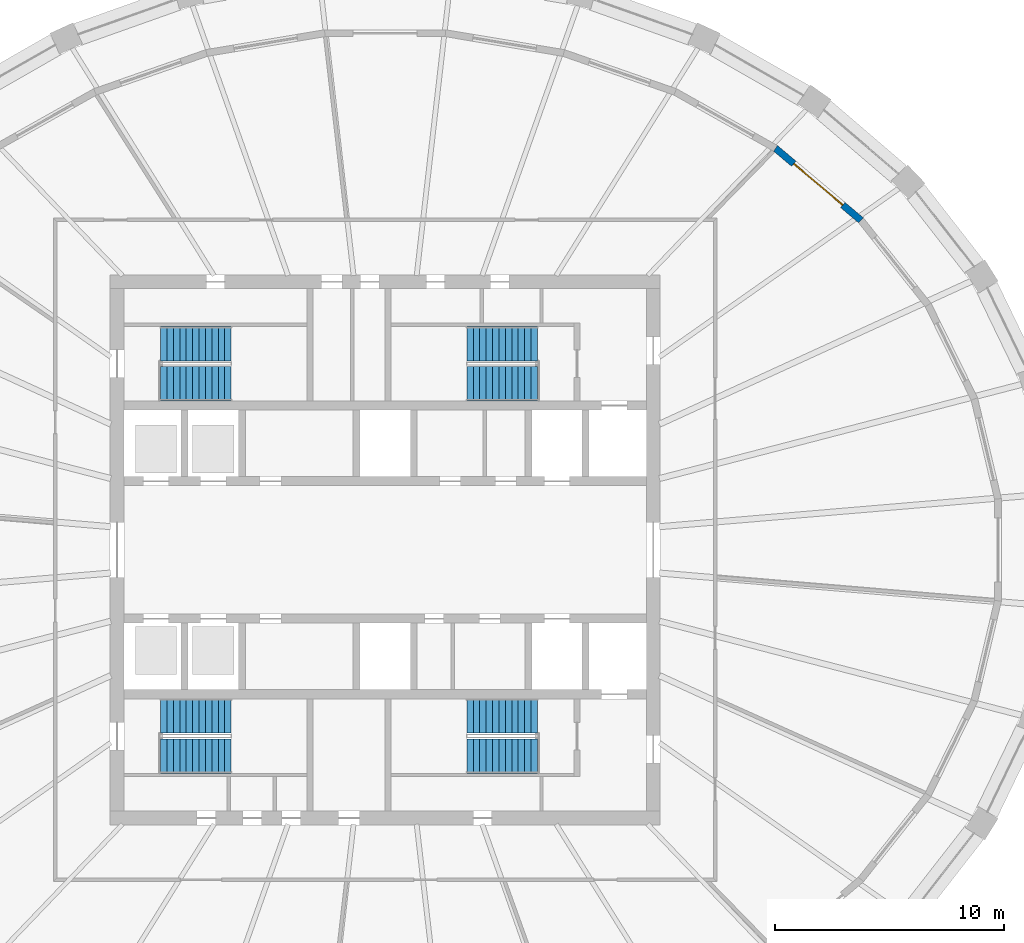
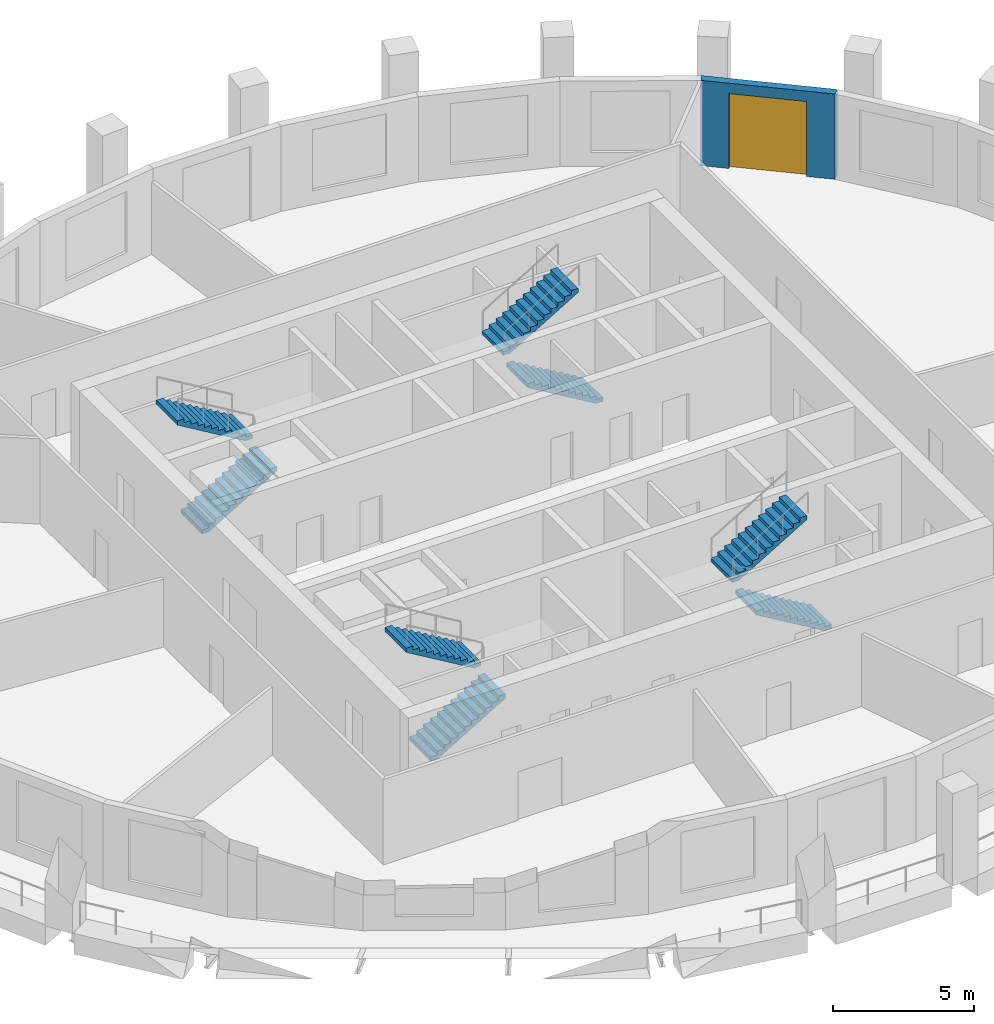
# One storey, part 7 of 10: 8 stair flights, 1 door, 1 wall, 1 opening, 4 elements without a shape of their own.
"""IFC4 building model written with IfcOpenShell, lengths in metres."""

from ifc_helpers import new_model, si_unit, direction, frame, frame_2d, origin, place, context, subcontext, project, spatial, polyline, rectangle, outline, extrude, material, layer, layer_set, type_object, element, fill, aggregate, save


model = new_model("IFC4")

# Units and contexts
model_context = context("Model", 3, precision=1e-05, world=origin(), true_north=direction((0.0, 1.0)))
body_context = subcontext(model_context, "Body", "Model", "MODEL_VIEW")
ifc_project = project(units=[si_unit("LENGTHUNIT", "METRE"), si_unit("AREAUNIT", "SQUARE_METRE"), si_unit("VOLUMEUNIT", "CUBIC_METRE"), si_unit("PLANEANGLEUNIT", "RADIAN"), si_unit("MASSUNIT", "GRAM", prefix="KILO")], contexts=[model_context])

# Site, building, storey
site_placement = place(None, origin())
site = spatial("IfcSite", under=ifc_project, at=site_placement, CompositionType="ELEMENT")
building_placement = place(site_placement, origin())
building = spatial("IfcBuilding", under=site, at=building_placement, Name="Halqa Exchange Tower", CompositionType="ELEMENT")
storey_placement = place(building_placement, frame((0.0, 0.0, 284.300048828125)))
storey = spatial("IfcBuildingStorey", under=building, at=storey_placement, Name="L66", CompositionType="ELEMENT", Elevation=284.300048828125)

# Wall, opening, door
ifc_material_1 = material(Name="Limestone cladding", Category="masonry")
ifc_layer_1 = layer(ifc_material_1, 0.0400390625)
ifc_material_2 = material(Name="Ventilated cavity")
ifc_layer_2 = layer(ifc_material_2, 0.030029296875, ventilated=True)
ifc_material_3 = material(Name="Mineral wool insulation")
ifc_layer_3 = layer(ifc_material_3, 0.10009765625)
ifc_material_4 = material(Name="Concrete C30/37", Category="concrete")
ifc_layer_4 = layer(ifc_material_4, 0.10009765625)
ifc_material_5 = material(Name="Internal plaster")
ifc_layer_5 = layer(ifc_material_5, 0.030029296875)
ifc_layer_set = layer_set([ifc_layer_1, ifc_layer_2, ifc_layer_3, ifc_layer_4, ifc_layer_5], Name="Stone-faced insulated wall 300")
wall_type = type_object("IfcWallType", Name="Stone-faced insulated wall 300", PredefinedType="STANDARD", material=ifc_layer_set)
wall_placement = place(storey_placement, frame((20.767822265625, 14.384033203125, 0.0), z_axis=(0.0, 0.0, 1.0), x_axis=(-0.764876116592, 0.644177402792, 0.0)))
wall = element("IfcWall", 1, at=wall_placement, inside=storey, type_object=wall_type, Name="Glass-line wall 4", PredefinedType="STANDARD", context=body_context, shape_type="SweptSolid", body=[
    extrude(outline(polyline([(-0.01513671875, -0.14990234375), (4.886962890625, -0.14990234375), (4.858642578125, 0.14990234375), (0.01513671875, 0.14990234375), (-0.01513671875, -0.14990234375)])), origin(), (0.0, 0.0, 1.0), 3.699951171875),
])
opening_placement = place(wall_placement, frame((1.036376953125, 0.0, 0.0)))
opening = element("IfcOpeningElement", 2, at=opening_placement, cuts=wall, Name="Opening LG-F4-01", PredefinedType="OPENING", context=body_context, shape_type="SweptSolid", body=[
    extrude(rectangle(XDim=2.800048828125, YDim=3.25, at=frame_2d((1.39990234375, 1.625))), frame((0.0, 0.162109375, 0.0), z_axis=(0.0, -1.0, 0.0), x_axis=(1.0, 0.0, 0.0)), (0.0, 0.0, 1.0), 0.323974609375),
])
ifc_material_6 = material(Name="Clear low-emissivity glass in aluminium frame", Category="aluminium")
door_type = type_object("IfcDoorType", Name="Glazed sliding loggia door 2800 x 3250", OperationType="DOUBLE_DOOR_SLIDING", PredefinedType="DOOR", material=ifc_material_6)
door_placement = place(opening_placement, origin())
door = element("IfcDoor", 3, at=door_placement, inside=storey, type_object=door_type, Name="Loggia door 1", OperationType="DOUBLE_DOOR_SLIDING", OverallHeight=3.25, OverallWidth=2.800048828125, PredefinedType="DOOR", context=body_context, shape_type="SweptSolid", body=[
    extrude(rectangle(XDim=2.800048828125, YDim=3.25, at=frame_2d((1.39990234375, 1.625))), frame((0.0, 0.02490234375, 0.0), z_axis=(0.0, -1.0, 0.0), x_axis=(1.0, 0.0, 0.0)), (0.0, 0.0, 1.0), 0.050048828125),
])
fill(opening, door)

# Stair, stair flights
stair_type = type_object("IfcStairType", Name="Exit stair 1500 wide", PredefinedType="HALF_TURN_STAIR", material=ifc_material_4)
stair_1_placement = place(storey_placement, origin())
stair_1 = element("IfcStair", 4, at=stair_1_placement, inside=storey, type_object=stair_type, Name="Exit stair ST1", PredefinedType="HALF_TURN_STAIR")
stair_flight_type = type_object("IfcStairFlightType", Name="Stair flight 1500 wide", PredefinedType="STRAIGHT", material=ifc_material_4)
stair_flight_1_placement = place(storey_placement, frame((-9.800048828125, 7.25, 0.0), z_axis=(0.0, 0.0, 1.0), x_axis=(1.0, 0.0, 0.0)))
stair_flight_1 = element("IfcStairFlight", 5, at=stair_flight_1_placement, type_object=stair_flight_type, Name="ST1 flight 1", NumberOfRisers=12, NumberOfTreads=11, PredefinedType="STRAIGHT", RiserHeight=0.166666667, TreadLength=0.28, context=body_context, shape_type="SweptSolid", body=[
    extrude(outline(polyline([(0.0, 0.0), (0.0, 0.166748046875), (0.280029296875, 0.166748046875), (0.280029296875, 0.333251953125), (0.56005859375, 0.333251953125), (0.56005859375, 0.5), (0.840087890625, 0.5), (0.840087890625, 0.666748046875), (1.1201171875, 0.666748046875), (1.1201171875, 0.833251953125), (1.39990234375, 0.833251953125), (1.39990234375, 1.0), (1.679931640625, 1.0), (1.679931640625, 1.166748046875), (1.9599609375, 1.166748046875), (1.9599609375, 1.333251953125), (2.239990234375, 1.333251953125), (2.239990234375, 1.5), (2.52001953125, 1.5), (2.52001953125, 1.666748046875), (2.800048828125, 1.666748046875), (2.800048828125, 1.833251953125), (3.080078125, 1.833251953125), (3.080078125, 2.0), (3.080078125, 1.658935546875), (0.29296875, 0.0), (0.0, 0.0)])), frame((0.0, 0.75, 0.0), z_axis=(0.0, -1.0, 0.0), x_axis=(1.0, 0.0, 0.0)), (0.0, 0.0, 1.0), 1.5),
])
stair_flight_2_placement = place(storey_placement, frame((-6.719970703125, 9.0, 2.0), z_axis=(0.0, 0.0, 1.0), x_axis=(-1.0, 0.0, 0.0)))
stair_flight_2 = element("IfcStairFlight", 6, at=stair_flight_2_placement, type_object=stair_flight_type, Name="ST1 flight 2", NumberOfRisers=12, NumberOfTreads=11, PredefinedType="STRAIGHT", RiserHeight=0.166666667, TreadLength=0.28, context=body_context, shape_type="SweptSolid", body=[
    extrude(outline(polyline([(0.0, 0.0), (0.0, 0.166748046875), (0.280029296875, 0.166748046875), (0.280029296875, 0.333251953125), (0.56005859375, 0.333251953125), (0.56005859375, 0.5), (0.840087890625, 0.5), (0.840087890625, 0.666748046875), (1.1201171875, 0.666748046875), (1.1201171875, 0.833251953125), (1.39990234375, 0.833251953125), (1.39990234375, 1.0), (1.679931640625, 1.0), (1.679931640625, 1.166748046875), (1.9599609375, 1.166748046875), (1.9599609375, 1.333251953125), (2.239990234375, 1.333251953125), (2.239990234375, 1.5), (2.52001953125, 1.5), (2.52001953125, 1.666748046875), (2.800048828125, 1.666748046875), (2.800048828125, 1.833251953125), (3.080078125, 1.833251953125), (3.080078125, 2.0), (3.080078125, 1.658935546875), (0.29296875, 0.0), (0.0, 0.0)])), frame((0.0, 0.75, 0.0), z_axis=(0.0, -1.0, 0.0), x_axis=(1.0, 0.0, 0.0)), (0.0, 0.0, 1.0), 1.5),
])
aggregate(stair_1, [stair_flight_1, stair_flight_2])

stair_2_placement = place(storey_placement, origin())
stair_2 = element("IfcStair", 7, at=stair_2_placement, inside=storey, type_object=stair_type, Name="Exit stair ST2", PredefinedType="HALF_TURN_STAIR")
stair_flight_3_placement = place(storey_placement, frame((6.64990234375, 7.25, 0.0), z_axis=(0.0, 0.0, 1.0), x_axis=(-1.0, 0.0, 0.0)))
stair_flight_3 = element("IfcStairFlight", 8, at=stair_flight_3_placement, type_object=stair_flight_type, Name="ST2 flight 1", NumberOfRisers=12, NumberOfTreads=11, PredefinedType="STRAIGHT", RiserHeight=0.166666667, TreadLength=0.28, context=body_context, shape_type="SweptSolid", body=[
    extrude(outline(polyline([(0.0, 0.0), (0.0, 0.166748046875), (0.280029296875, 0.166748046875), (0.280029296875, 0.333251953125), (0.56005859375, 0.333251953125), (0.56005859375, 0.5), (0.840087890625, 0.5), (0.840087890625, 0.666748046875), (1.1201171875, 0.666748046875), (1.1201171875, 0.833251953125), (1.39990234375, 0.833251953125), (1.39990234375, 1.0), (1.679931640625, 1.0), (1.679931640625, 1.166748046875), (1.9599609375, 1.166748046875), (1.9599609375, 1.333251953125), (2.239990234375, 1.333251953125), (2.239990234375, 1.5), (2.52001953125, 1.5), (2.52001953125, 1.666748046875), (2.800048828125, 1.666748046875), (2.800048828125, 1.833251953125), (3.080078125, 1.833251953125), (3.080078125, 2.0), (3.080078125, 1.658935546875), (0.29296875, 0.0), (0.0, 0.0)])), frame((0.0, 0.75, 0.0), z_axis=(0.0, -1.0, 0.0), x_axis=(1.0, 0.0, 0.0)), (0.0, 0.0, 1.0), 1.5),
])
stair_flight_4_placement = place(storey_placement, frame((3.570068359375, 9.0, 2.0), z_axis=(0.0, 0.0, 1.0), x_axis=(1.0, 0.0, 0.0)))
stair_flight_4 = element("IfcStairFlight", 9, at=stair_flight_4_placement, type_object=stair_flight_type, Name="ST2 flight 2", NumberOfRisers=12, NumberOfTreads=11, PredefinedType="STRAIGHT", RiserHeight=0.166666667, TreadLength=0.28, context=body_context, shape_type="SweptSolid", body=[
    extrude(outline(polyline([(0.0, 0.0), (0.0, 0.166748046875), (0.280029296875, 0.166748046875), (0.280029296875, 0.333251953125), (0.56005859375, 0.333251953125), (0.56005859375, 0.5), (0.840087890625, 0.5), (0.840087890625, 0.666748046875), (1.1201171875, 0.666748046875), (1.1201171875, 0.833251953125), (1.39990234375, 0.833251953125), (1.39990234375, 1.0), (1.679931640625, 1.0), (1.679931640625, 1.166748046875), (1.9599609375, 1.166748046875), (1.9599609375, 1.333251953125), (2.239990234375, 1.333251953125), (2.239990234375, 1.5), (2.52001953125, 1.5), (2.52001953125, 1.666748046875), (2.800048828125, 1.666748046875), (2.800048828125, 1.833251953125), (3.080078125, 1.833251953125), (3.080078125, 2.0), (3.080078125, 1.658935546875), (0.29296875, 0.0), (0.0, 0.0)])), frame((0.0, 0.75, 0.0), z_axis=(0.0, -1.0, 0.0), x_axis=(1.0, 0.0, 0.0)), (0.0, 0.0, 1.0), 1.5),
])
aggregate(stair_2, [stair_flight_3, stair_flight_4])

stair_3_placement = place(storey_placement, origin())
stair_3 = element("IfcStair", 10, at=stair_3_placement, inside=storey, type_object=stair_type, Name="Exit stair ST3", PredefinedType="HALF_TURN_STAIR")
stair_flight_5_placement = place(storey_placement, frame((-9.800048828125, -9.0, 0.0), z_axis=(0.0, 0.0, 1.0), x_axis=(1.0, 0.0, 0.0)))
stair_flight_5 = element("IfcStairFlight", 11, at=stair_flight_5_placement, type_object=stair_flight_type, Name="ST3 flight 1", NumberOfRisers=12, NumberOfTreads=11, PredefinedType="STRAIGHT", RiserHeight=0.166666667, TreadLength=0.28, context=body_context, shape_type="SweptSolid", body=[
    extrude(outline(polyline([(0.0, 0.0), (0.0, 0.166748046875), (0.280029296875, 0.166748046875), (0.280029296875, 0.333251953125), (0.56005859375, 0.333251953125), (0.56005859375, 0.5), (0.840087890625, 0.5), (0.840087890625, 0.666748046875), (1.1201171875, 0.666748046875), (1.1201171875, 0.833251953125), (1.39990234375, 0.833251953125), (1.39990234375, 1.0), (1.679931640625, 1.0), (1.679931640625, 1.166748046875), (1.9599609375, 1.166748046875), (1.9599609375, 1.333251953125), (2.239990234375, 1.333251953125), (2.239990234375, 1.5), (2.52001953125, 1.5), (2.52001953125, 1.666748046875), (2.800048828125, 1.666748046875), (2.800048828125, 1.833251953125), (3.080078125, 1.833251953125), (3.080078125, 2.0), (3.080078125, 1.658935546875), (0.29296875, 0.0), (0.0, 0.0)])), frame((0.0, 0.75, 0.0), z_axis=(0.0, -1.0, 0.0), x_axis=(1.0, 0.0, 0.0)), (0.0, 0.0, 1.0), 1.5),
])
stair_flight_6_placement = place(storey_placement, frame((-6.719970703125, -7.25, 2.0), z_axis=(0.0, 0.0, 1.0), x_axis=(-1.0, 0.0, 0.0)))
stair_flight_6 = element("IfcStairFlight", 12, at=stair_flight_6_placement, type_object=stair_flight_type, Name="ST3 flight 2", NumberOfRisers=12, NumberOfTreads=11, PredefinedType="STRAIGHT", RiserHeight=0.166666667, TreadLength=0.28, context=body_context, shape_type="SweptSolid", body=[
    extrude(outline(polyline([(0.0, 0.0), (0.0, 0.166748046875), (0.280029296875, 0.166748046875), (0.280029296875, 0.333251953125), (0.56005859375, 0.333251953125), (0.56005859375, 0.5), (0.840087890625, 0.5), (0.840087890625, 0.666748046875), (1.1201171875, 0.666748046875), (1.1201171875, 0.833251953125), (1.39990234375, 0.833251953125), (1.39990234375, 1.0), (1.679931640625, 1.0), (1.679931640625, 1.166748046875), (1.9599609375, 1.166748046875), (1.9599609375, 1.333251953125), (2.239990234375, 1.333251953125), (2.239990234375, 1.5), (2.52001953125, 1.5), (2.52001953125, 1.666748046875), (2.800048828125, 1.666748046875), (2.800048828125, 1.833251953125), (3.080078125, 1.833251953125), (3.080078125, 2.0), (3.080078125, 1.658935546875), (0.29296875, 0.0), (0.0, 0.0)])), frame((0.0, 0.75, 0.0), z_axis=(0.0, -1.0, 0.0), x_axis=(1.0, 0.0, 0.0)), (0.0, 0.0, 1.0), 1.5),
])
aggregate(stair_3, [stair_flight_5, stair_flight_6])

stair_4_placement = place(storey_placement, origin())
stair_4 = element("IfcStair", 13, at=stair_4_placement, inside=storey, type_object=stair_type, Name="Exit stair ST4", PredefinedType="HALF_TURN_STAIR")
stair_flight_7_placement = place(storey_placement, frame((6.64990234375, -9.0, 0.0), z_axis=(0.0, 0.0, 1.0), x_axis=(-1.0, 0.0, 0.0)))
stair_flight_7 = element("IfcStairFlight", 14, at=stair_flight_7_placement, type_object=stair_flight_type, Name="ST4 flight 1", NumberOfRisers=12, NumberOfTreads=11, PredefinedType="STRAIGHT", RiserHeight=0.166666667, TreadLength=0.28, context=body_context, shape_type="SweptSolid", body=[
    extrude(outline(polyline([(0.0, 0.0), (0.0, 0.166748046875), (0.280029296875, 0.166748046875), (0.280029296875, 0.333251953125), (0.56005859375, 0.333251953125), (0.56005859375, 0.5), (0.840087890625, 0.5), (0.840087890625, 0.666748046875), (1.1201171875, 0.666748046875), (1.1201171875, 0.833251953125), (1.39990234375, 0.833251953125), (1.39990234375, 1.0), (1.679931640625, 1.0), (1.679931640625, 1.166748046875), (1.9599609375, 1.166748046875), (1.9599609375, 1.333251953125), (2.239990234375, 1.333251953125), (2.239990234375, 1.5), (2.52001953125, 1.5), (2.52001953125, 1.666748046875), (2.800048828125, 1.666748046875), (2.800048828125, 1.833251953125), (3.080078125, 1.833251953125), (3.080078125, 2.0), (3.080078125, 1.658935546875), (0.29296875, 0.0), (0.0, 0.0)])), frame((0.0, 0.75, 0.0), z_axis=(0.0, -1.0, 0.0), x_axis=(1.0, 0.0, 0.0)), (0.0, 0.0, 1.0), 1.5),
])
stair_flight_8_placement = place(storey_placement, frame((3.570068359375, -7.25, 2.0), z_axis=(0.0, 0.0, 1.0), x_axis=(1.0, 0.0, 0.0)))
stair_flight_8 = element("IfcStairFlight", 15, at=stair_flight_8_placement, type_object=stair_flight_type, Name="ST4 flight 2", NumberOfRisers=12, NumberOfTreads=11, PredefinedType="STRAIGHT", RiserHeight=0.166666667, TreadLength=0.28, context=body_context, shape_type="SweptSolid", body=[
    extrude(outline(polyline([(0.0, 0.0), (0.0, 0.166748046875), (0.280029296875, 0.166748046875), (0.280029296875, 0.333251953125), (0.56005859375, 0.333251953125), (0.56005859375, 0.5), (0.840087890625, 0.5), (0.840087890625, 0.666748046875), (1.1201171875, 0.666748046875), (1.1201171875, 0.833251953125), (1.39990234375, 0.833251953125), (1.39990234375, 1.0), (1.679931640625, 1.0), (1.679931640625, 1.166748046875), (1.9599609375, 1.166748046875), (1.9599609375, 1.333251953125), (2.239990234375, 1.333251953125), (2.239990234375, 1.5), (2.52001953125, 1.5), (2.52001953125, 1.666748046875), (2.800048828125, 1.666748046875), (2.800048828125, 1.833251953125), (3.080078125, 1.833251953125), (3.080078125, 2.0), (3.080078125, 1.658935546875), (0.29296875, 0.0), (0.0, 0.0)])), frame((0.0, 0.75, 0.0), z_axis=(0.0, -1.0, 0.0), x_axis=(1.0, 0.0, 0.0)), (0.0, 0.0, 1.0), 1.5),
])
aggregate(stair_4, [stair_flight_7, stair_flight_8])

save(model, "model.ifc")
